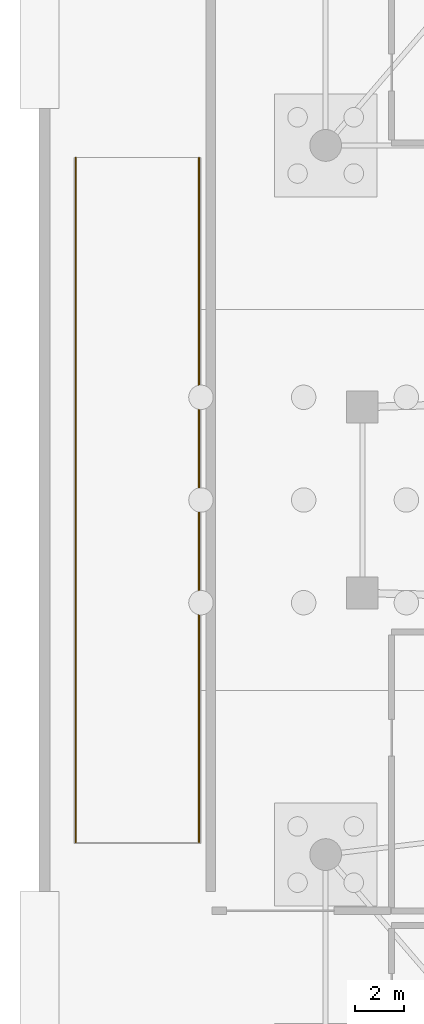
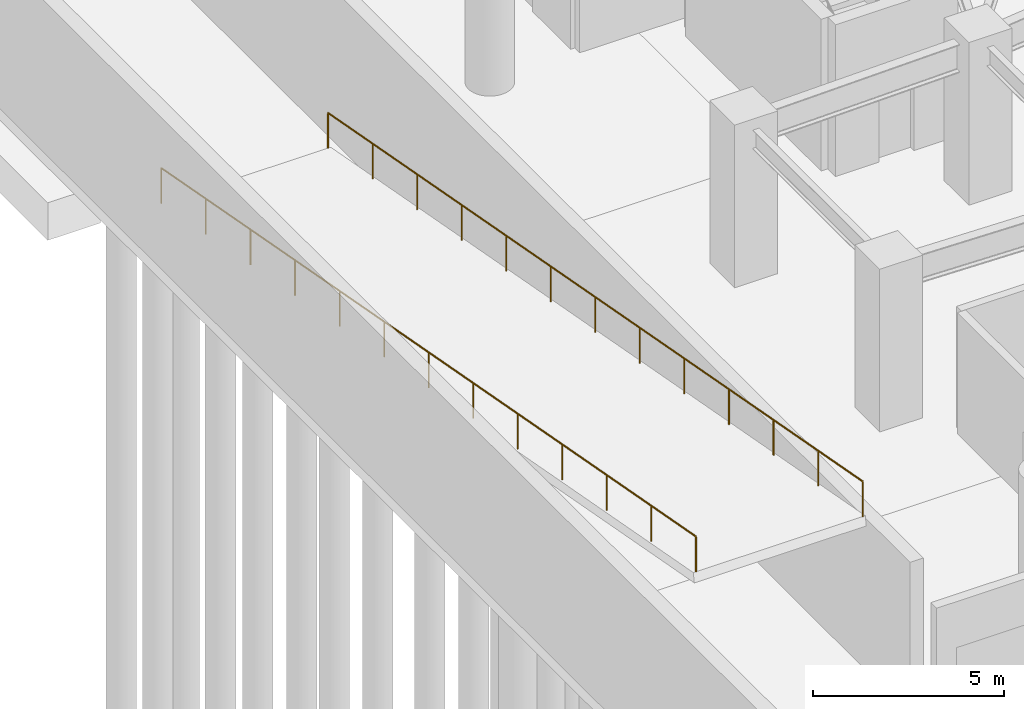
# One storey, part 10 of 14: 2 railings.
"""IFC4 building model written with IfcOpenShell, lengths in metres."""

from ifc_helpers import new_model, si_unit, direction, frame, origin, origin_2d, place, context, subcontext, project, spatial, circle, extrude, material, type_object, element, save


model = new_model("IFC4")

# Units and contexts
model_context = context("Model", 3, precision=1e-05, world=origin(), true_north=direction((0.0, 1.0)))
body_context = subcontext(model_context, "Body", "Model", "MODEL_VIEW")
ifc_project = project(units=[si_unit("LENGTHUNIT", "METRE"), si_unit("AREAUNIT", "SQUARE_METRE"), si_unit("VOLUMEUNIT", "CUBIC_METRE"), si_unit("PLANEANGLEUNIT", "RADIAN"), si_unit("MASSUNIT", "GRAM", prefix="KILO")], contexts=[model_context])

# Site, building, storey
site_placement = place(None, origin())
site = spatial("IfcSite", under=ifc_project, at=site_placement, CompositionType="ELEMENT")
building_placement = place(site_placement, origin())
building = spatial("IfcBuilding", under=site, at=building_placement, Name="Qingluan Cross Belvedere", CompositionType="ELEMENT")
storey_placement = place(building_placement, frame((0.0, 0.0, -10.39990234375)))
storey = spatial("IfcBuildingStorey", under=building, at=storey_placement, Name="B2", CompositionType="ELEMENT", Elevation=-10.39990234375)

# Railings
ifc_material = material(Name="Laminated glass and stainless steel balustrade", Category="steel")
railing_type = type_object("IfcRailingType", Name="TerraceGuardBalustrade_1150", PredefinedType="BALUSTRADE", material=ifc_material)
railing_1_placement = place(storey_placement, frame((-38.719970703125, 14.0, 0.0)))
element("IfcRailing", 1, at=railing_1_placement, inside=storey, type_object=railing_type, Name="Vehicle ramp side guard VR1-W", PredefinedType="BALUSTRADE", context=body_context, shape_type="SweptSolid", body=[
    extrude(circle(Radius=0.02392578125, at=origin_2d()), frame((0.0, 0.0, 1.1259765625), z_axis=(0.0, -0.983189043875, 0.18259053646), x_axis=(1.0, 0.0, 0.0)), (0.0, 0.0, 1.0), 28.478759765625),
    extrude(circle(Radius=0.02099609375, at=origin_2d()), origin(), (0.0, 0.0, 1.0), 1.101806640625),
    extrude(circle(Radius=0.02099609375, at=origin_2d()), frame((0.0, -2.333251953125, 0.433349609375)), (0.0, 0.0, 1.0), 1.101806640625),
    extrude(circle(Radius=0.02099609375, at=origin_2d()), frame((0.0, -4.666748046875, 0.86669921875)), (0.0, 0.0, 1.0), 1.101806640625),
    extrude(circle(Radius=0.02099609375, at=origin_2d()), frame((0.0, -7.0, 1.300048828125)), (0.0, 0.0, 1.0), 1.101806640625),
    extrude(circle(Radius=0.02099609375, at=origin_2d()), frame((0.0, -9.333251953125, 1.7333984375)), (0.0, 0.0, 1.0), 1.101806640625),
    extrude(circle(Radius=0.02099609375, at=origin_2d()), frame((0.0, -11.666748046875, 2.166748046875)), (0.0, 0.0, 1.0), 1.101806640625),
    extrude(circle(Radius=0.02099609375, at=origin_2d()), frame((0.0, -14.0, 2.60009765625)), (0.0, 0.0, 1.0), 1.101806640625),
    extrude(circle(Radius=0.02099609375, at=origin_2d()), frame((0.0, -16.333251953125, 3.033203125)), (0.0, 0.0, 1.0), 1.101806640625),
    extrude(circle(Radius=0.02099609375, at=origin_2d()), frame((0.0, -18.666748046875, 3.466552734375)), (0.0, 0.0, 1.0), 1.101806640625),
    extrude(circle(Radius=0.02099609375, at=origin_2d()), frame((0.0, -21.0, 3.89990234375)), (0.0, 0.0, 1.0), 1.101806640625),
    extrude(circle(Radius=0.02099609375, at=origin_2d()), frame((0.0, -23.333251953125, 4.333251953125)), (0.0, 0.0, 1.0), 1.101806640625),
    extrude(circle(Radius=0.02099609375, at=origin_2d()), frame((0.0, -25.666748046875, 4.7666015625)), (0.0, 0.0, 1.0), 1.101806640625),
    extrude(circle(Radius=0.02099609375, at=origin_2d()), frame((0.0, -28.0, 5.199951171875)), (0.0, 0.0, 1.0), 1.101806640625),
])
railing_2_placement = place(storey_placement, frame((-33.679931640625, 14.0, 0.0)))
element("IfcRailing", 2, at=railing_2_placement, inside=storey, type_object=railing_type, Name="Vehicle ramp side guard VR1-E", PredefinedType="BALUSTRADE", context=body_context, shape_type="SweptSolid", body=[
    extrude(circle(Radius=0.02392578125, at=origin_2d()), frame((0.0, 0.0, 1.1259765625), z_axis=(0.0, -0.983189043875, 0.18259053646), x_axis=(1.0, 0.0, 0.0)), (0.0, 0.0, 1.0), 28.478759765625),
    extrude(circle(Radius=0.02099609375, at=origin_2d()), origin(), (0.0, 0.0, 1.0), 1.101806640625),
    extrude(circle(Radius=0.02099609375, at=origin_2d()), frame((0.0, -2.333251953125, 0.433349609375)), (0.0, 0.0, 1.0), 1.101806640625),
    extrude(circle(Radius=0.02099609375, at=origin_2d()), frame((0.0, -4.666748046875, 0.86669921875)), (0.0, 0.0, 1.0), 1.101806640625),
    extrude(circle(Radius=0.02099609375, at=origin_2d()), frame((0.0, -7.0, 1.300048828125)), (0.0, 0.0, 1.0), 1.101806640625),
    extrude(circle(Radius=0.02099609375, at=origin_2d()), frame((0.0, -9.333251953125, 1.7333984375)), (0.0, 0.0, 1.0), 1.101806640625),
    extrude(circle(Radius=0.02099609375, at=origin_2d()), frame((0.0, -11.666748046875, 2.166748046875)), (0.0, 0.0, 1.0), 1.101806640625),
    extrude(circle(Radius=0.02099609375, at=origin_2d()), frame((0.0, -14.0, 2.60009765625)), (0.0, 0.0, 1.0), 1.101806640625),
    extrude(circle(Radius=0.02099609375, at=origin_2d()), frame((0.0, -16.333251953125, 3.033203125)), (0.0, 0.0, 1.0), 1.101806640625),
    extrude(circle(Radius=0.02099609375, at=origin_2d()), frame((0.0, -18.666748046875, 3.466552734375)), (0.0, 0.0, 1.0), 1.101806640625),
    extrude(circle(Radius=0.02099609375, at=origin_2d()), frame((0.0, -21.0, 3.89990234375)), (0.0, 0.0, 1.0), 1.101806640625),
    extrude(circle(Radius=0.02099609375, at=origin_2d()), frame((0.0, -23.333251953125, 4.333251953125)), (0.0, 0.0, 1.0), 1.101806640625),
    extrude(circle(Radius=0.02099609375, at=origin_2d()), frame((0.0, -25.666748046875, 4.7666015625)), (0.0, 0.0, 1.0), 1.101806640625),
    extrude(circle(Radius=0.02099609375, at=origin_2d()), frame((0.0, -28.0, 5.199951171875)), (0.0, 0.0, 1.0), 1.101806640625),
])

save(model, "model.ifc")
